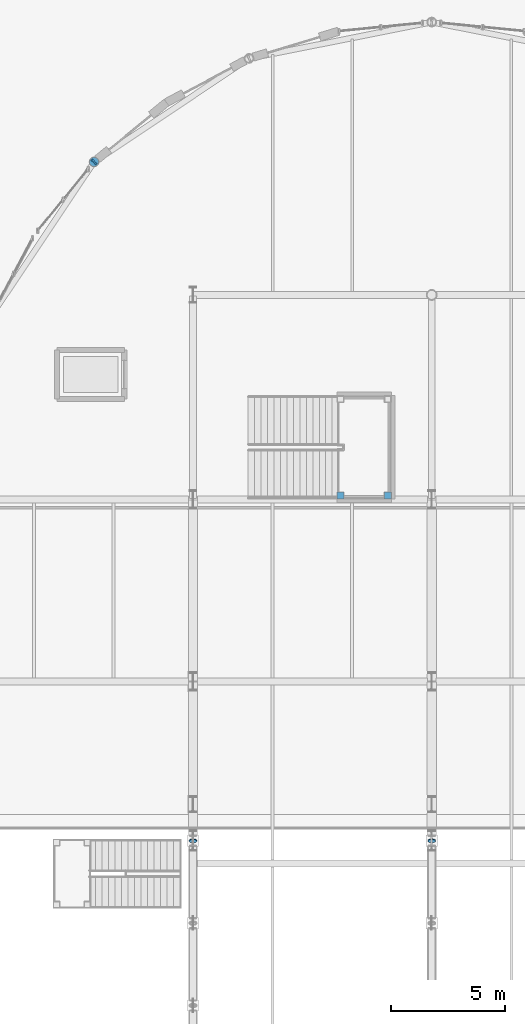
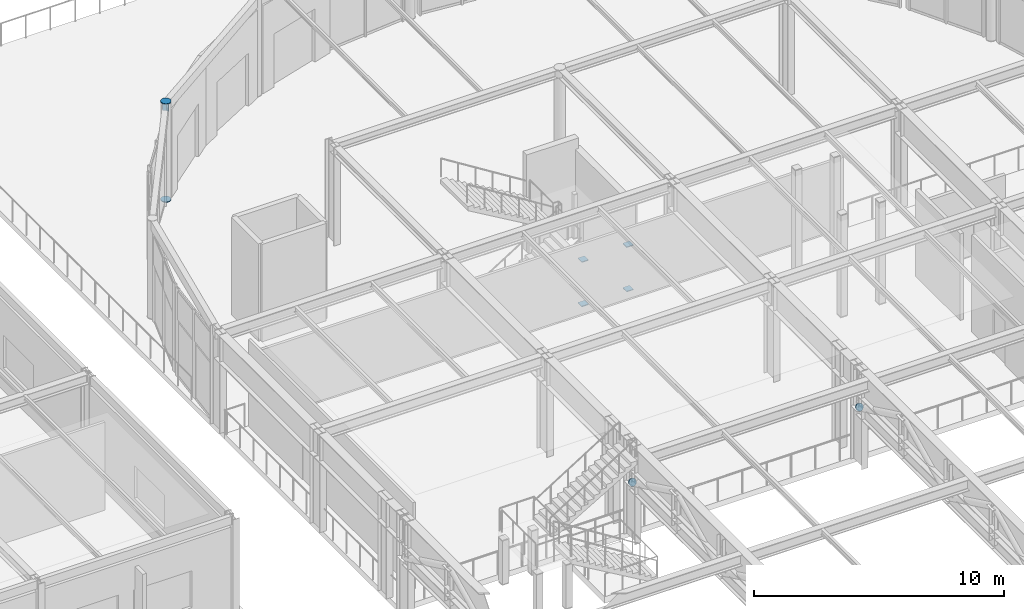
# One storey, part 103 of 143: 10 discrete accessories.
"""IFC4 building model written with IfcOpenShell, lengths in metres."""

from ifc_helpers import new_model, si_unit, direction, frame, origin, origin_2d, place, context, subcontext, project, spatial, rectangle, circle, extrude, material, element, save


model = new_model("IFC4")

# Units and contexts
model_context = context("Model", 3, precision=1e-05, world=origin(), true_north=direction((0.0, 1.0)))
body_context = subcontext(model_context, "Body", "Model", "MODEL_VIEW")
ifc_project = project(units=[si_unit("LENGTHUNIT", "METRE"), si_unit("AREAUNIT", "SQUARE_METRE"), si_unit("VOLUMEUNIT", "CUBIC_METRE"), si_unit("PLANEANGLEUNIT", "RADIAN"), si_unit("MASSUNIT", "GRAM", prefix="KILO")], contexts=[model_context])

# Site, building, storey
site_placement = place(None, origin())
site = spatial("IfcSite", under=ifc_project, at=site_placement, CompositionType="ELEMENT")
building_placement = place(site_placement, origin())
building = spatial("IfcBuilding", under=site, at=building_placement, Name="Marlcrest Central Station", CompositionType="ELEMENT")
storey_placement = place(building_placement, frame((0.0, 0.0, 4.800048828125)))
storey = spatial("IfcBuildingStorey", under=building, at=storey_placement, Name="L01", CompositionType="ELEMENT", Elevation=4.800048828125)

# Discrete accessories
ifc_material = material(Name="Steel S355", Category="steel")
for number, where, z_axis, x_axis, name in (
    (1, (97.5, 95.4775390625, 2.755859375), (0.0, 0.900551636365, -0.434749065831), (-1.0, 0.0, 0.0), "endcap-mem-TD-01-L01-02215-e"),
    (2, (108.0, 95.4775390625, 2.755859375), (0.0, 0.900551636365, -0.434749065831), (-1.0, 0.0, 0.0), "endcap-mem-TD-01-L01-02264-e"),
):
    element("IfcDiscreteAccessory", number, at=place(storey_placement, frame(where, z_axis=z_axis, x_axis=x_axis)), inside=storey, material=ifc_material, Name=name, ObjectType="END_CAP_PLATE", PredefinedType="BRACKET", context=body_context, shape_type="SweptSolid", body=[
        extrude(circle(Radius=0.169921875, at=origin_2d()), origin(), (0.0, 0.0, 1.0), 0.0400390625),
    ])
for number, where, z_axis, x_axis, name in (
    (3, (93.15087890625, 125.34912109375, -0.014892578125), (0.0, 0.0, 1.0), (1.0, 0.0, 0.0), "endcap-col-SC-10-L01-0848-s"),
    (4, (93.15087890625, 125.34912109375, 4.78515625), (0.0, 0.0, 1.0), (1.0, 0.0, 0.0), "endcap-col-SC-10-L01-0848-e"),
):
    element("IfcDiscreteAccessory", number, at=place(storey_placement, frame(where, z_axis=z_axis, x_axis=x_axis)), inside=storey, material=ifc_material, Name=name, ObjectType="END_CAP_PLATE", PredefinedType="BRACKET", context=body_context, shape_type="SweptSolid", body=[
        extrude(circle(Radius=0.211181640625, at=origin_2d()), origin(), (0.0, 0.0, 1.0), 0.0400390625),
    ])
for number, where, z_axis, x_axis, name in (
    (5, (93.136962890625, 125.328369140625, 4.58984375), (0.55551129271, 0.831508991937, 0.0), (-0.831508991937, 0.55551129271, 0.0), "endcap-bm-SP-02-L01-01459-e"),
    (6, (93.138427734375, 125.3408203125, 4.58984375), (0.831508991937, 0.55551129271, 0.0), (-0.55551129271, 0.831508991937, 0.0), "endcap-bm-SP-02-L01-01460-s"),
):
    element("IfcDiscreteAccessory", number, at=place(storey_placement, frame(where, z_axis=z_axis, x_axis=x_axis)), inside=storey, material=ifc_material, Name=name, ObjectType="END_CAP_PLATE", PredefinedType="BRACKET", context=body_context, shape_type="SweptSolid", body=[
        extrude(rectangle(XDim=0.26611328125, YDim=0.466064453125, at=origin_2d()), origin(), (0.0, 0.0, 1.0), 0.0400390625),
    ])
for number, where, z_axis, x_axis, name in (
    (7, (103.989990234375, 110.679931640625, -0.014892578125), (0.0, 0.0, 1.0), (1.0, 0.0, 0.0), "endcap-htcol-lo-0034-0-s"),
    (8, (103.989990234375, 110.679931640625, 2.155029296875), (0.0, 0.0, 1.0), (1.0, 0.0, 0.0), "endcap-htcol-lo-0034-0-e"),
    (9, (106.070068359375, 110.679931640625, -0.014892578125), (0.0, 0.0, 1.0), (1.0, 0.0, 0.0), "endcap-htcol-lo-0034-1-s"),
    (10, (106.070068359375, 110.679931640625, 2.155029296875), (0.0, 0.0, 1.0), (1.0, 0.0, 0.0), "endcap-htcol-lo-0034-1-e"),
):
    element("IfcDiscreteAccessory", number, at=place(storey_placement, frame(where, z_axis=z_axis, x_axis=x_axis)), inside=storey, material=ifc_material, Name=name, ObjectType="END_CAP_PLATE", PredefinedType="BRACKET", context=body_context, shape_type="SweptSolid", body=[
        extrude(rectangle(XDim=0.31591796875, YDim=0.31591796875, at=origin_2d()), origin(), (0.0, 0.0, 1.0), 0.0400390625),
    ])

save(model, "model.ifc")
